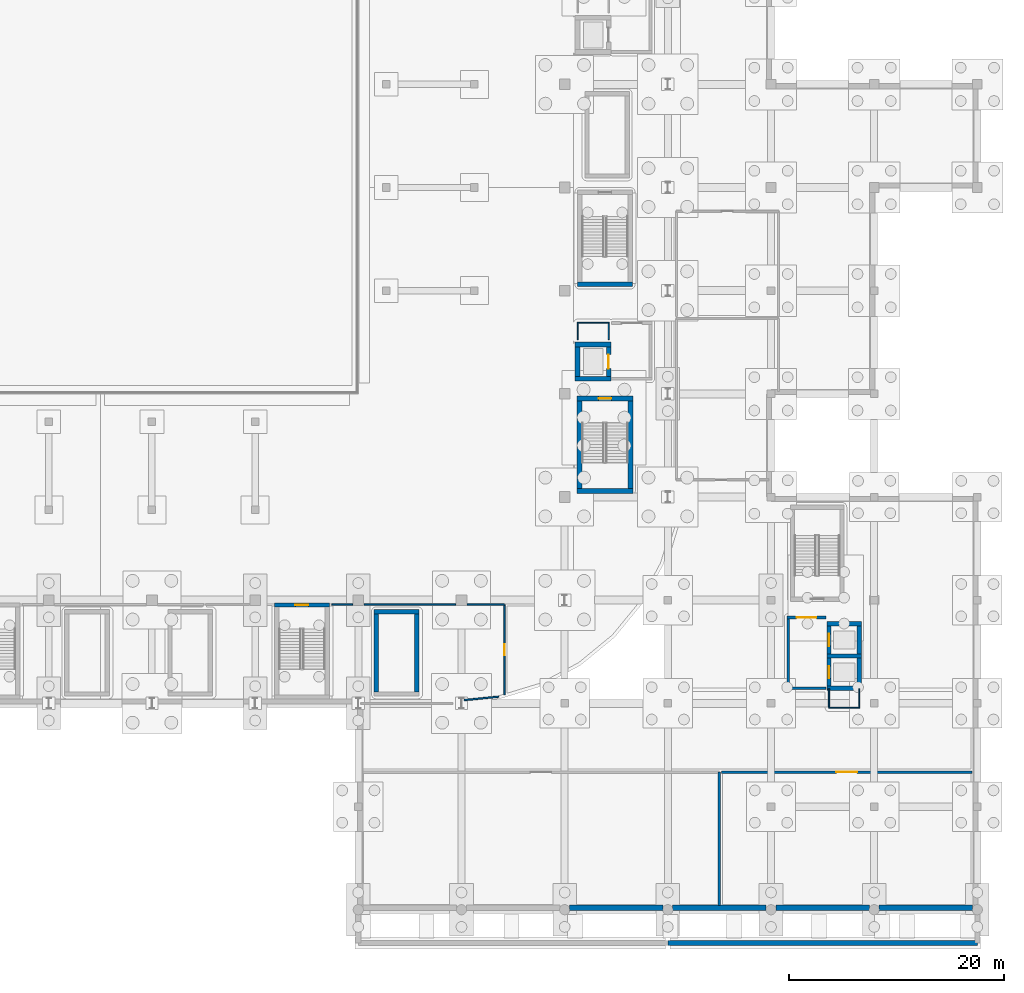
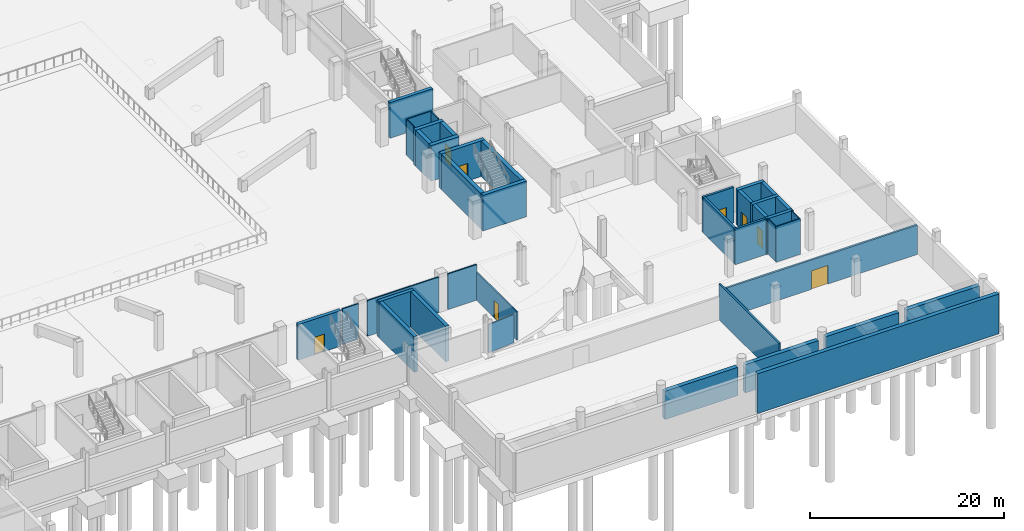
# One storey, part 32 of 67: 41 walls, 8 doors, 8 openings.
"""IFC4 building model written with IfcOpenShell, lengths in metres."""

import ifcopenshell
import ifcopenshell.guid

model = None  # the IFC model being written
_history = None  # IfcOwnerHistory: only IFC2X3 demands one
_inside = {}  # id of a spatial element -> (the spatial element, [elements in it])
_under = {}  # id of a project, library or spatial element -> (it, [spatial elements below it])
_declared = {}  # id of a project -> (the project, [libraries it declares])
_typed = {}  # id of a type object -> (the type object, [elements of that type])
_made_of = {}  # id of a material, layer set ... -> (it, [elements and type objects made of it])


def new_model(schema):
    """Start an empty IFC model of exactly this schema.

    Asked for "IFC4X3", IfcOpenShell would pick the latest addendum, in which some entities
    have other attributes; the version numbers below select the first issue.
    IFC2X3 requires an IfcOwnerHistory on every rooted entity: one is made here for all.
    """
    global model, _history
    if schema == "IFC4X3":
        model = ifcopenshell.file(schema_version=(4, 3, 0, 0))
    else:
        model = ifcopenshell.file(schema=schema)
    _inside.clear()
    _under.clear()
    _declared.clear()
    _typed.clear()
    _made_of.clear()
    _history = None
    if model.schema == "IFC2X3":
        org = make("IfcOrganization", Name="unknown")
        user = make(
            "IfcPersonAndOrganization",
            ThePerson=make("IfcPerson", FamilyName="unknown"),
            TheOrganization=org,
        )
        app = make(
            "IfcApplication",
            ApplicationDeveloper=org,
            Version="unknown",
            ApplicationFullName="unknown",
            ApplicationIdentifier="unknown",
        )
        _history = make(
            "IfcOwnerHistory",
            OwningUser=user,
            OwningApplication=app,
            ChangeAction="ADDED",
            CreationDate=0,
        )
    return model


def make(cls, **values):
    """One entity of the class cls with the attributes given. An attribute that is None is left unset."""
    return model.create_entity(
        cls, **{name: value for name, value in values.items() if value is not None}
    )


def rooted(cls, **values):
    """An entity with a GlobalId (a new one), such as an element, a storey or a relation."""
    return make(cls, GlobalId=ifcopenshell.guid.new(), OwnerHistory=_history, **values)


def si_unit(unit_type, name, prefix=None):
    """IfcSIUnit, for example si_unit("LENGTHUNIT", "METRE", prefix="MILLI")."""
    return make("IfcSIUnit", UnitType=unit_type, Prefix=prefix, Name=name)


def assignment(units):
    """IfcUnitAssignment: the units of a project."""
    return None if units is None else make("IfcUnitAssignment", Units=units)


def point(xyz):
    """IfcCartesianPoint."""
    return None if xyz is None else make("IfcCartesianPoint", Coordinates=xyz)


def direction(xyz):
    """IfcDirection."""
    return None if xyz is None else make("IfcDirection", DirectionRatios=xyz)


def frame(location, z_axis=None, x_axis=None):
    """IfcAxis2Placement3D, a coordinate frame: its origin and axes. An axis left out is left unset."""
    return make(
        "IfcAxis2Placement3D",
        Location=point(location),
        Axis=direction(z_axis),
        RefDirection=direction(x_axis),
    )


def frame_2d(location, x_axis=None):
    """IfcAxis2Placement2D, a coordinate frame in the plane: its origin and x axis."""
    return make(
        "IfcAxis2Placement2D", Location=point(location), RefDirection=direction(x_axis)
    )


def origin():
    """The frame at (0, 0, 0) with its axes left unset."""
    return frame((0.0, 0.0, 0.0))


def place(relative_to, where):
    """IfcLocalPlacement: puts the frame where relative to a parent placement (None: the world)."""
    return make(
        "IfcLocalPlacement", PlacementRelTo=relative_to, RelativePlacement=where
    )


def context(
    kind, dimensions, precision=None, world=None, true_north=None, identifier=None
):
    """IfcGeometricRepresentationContext, for example the 3D "Model" context."""
    return make(
        "IfcGeometricRepresentationContext",
        ContextIdentifier=identifier,
        ContextType=kind,
        CoordinateSpaceDimension=dimensions,
        Precision=precision,
        WorldCoordinateSystem=world,
        TrueNorth=true_north,
    )


def subcontext(parent, identifier, kind, view, scale=None):
    """IfcGeometricRepresentationSubContext, for example "Body" below "Model"."""
    return make(
        "IfcGeometricRepresentationSubContext",
        ContextIdentifier=identifier,
        ContextType=kind,
        ParentContext=parent,
        TargetScale=scale,
        TargetView=view,
    )


def project(units=None, contexts=None):
    """IfcProject with its units and contexts."""
    return rooted(
        "IfcProject",
        Name="project",
        RepresentationContexts=contexts,
        UnitsInContext=assignment(units),
    )


def spatial(cls, under=None, at=None, **own):
    """A site, building, storey or space (cls), placed at a placement, below another one or the project."""
    s = rooted(cls, ObjectPlacement=at, **own)
    if under is not None:
        _under.setdefault(under.id(), (under, []))[1].append(s)
    return s


def profile(cls, at=None, kind="AREA", **sizes):
    """A parametric profile (cls). Its sizes go by their IFC names, for example OverallWidth=200.0."""
    return make(cls, ProfileType=kind, Position=at, **sizes)


def rectangle(**sizes):
    """IfcRectangleProfileDef."""
    return profile("IfcRectangleProfileDef", **sizes)


def extrude(swept, where, along, depth):
    """IfcExtrudedAreaSolid: the profile swept, set in the frame where, extruded along a direction by depth."""
    return make(
        "IfcExtrudedAreaSolid",
        SweptArea=swept,
        Position=where,
        ExtrudedDirection=direction(along),
        Depth=depth,
    )


def shape(context_of_items, identifier, shape_type, items):
    """IfcShapeRepresentation: the items that make up one representation, for example the "Body"."""
    return make(
        "IfcShapeRepresentation",
        ContextOfItems=context_of_items,
        RepresentationIdentifier=identifier,
        RepresentationType=shape_type,
        Items=items,
    )


def material(Name=None, Category=None):
    """IfcMaterial."""
    return make("IfcMaterial", Name=Name, Category=Category)


def layer(
    of_material, thickness, ventilated=None, Name=None, Category=None, Priority=None
):
    """IfcMaterialLayer: one layer of a wall or slab, of a material (None: an air gap)."""
    return make(
        "IfcMaterialLayer",
        Material=of_material,
        LayerThickness=thickness,
        IsVentilated=ventilated,
        Name=Name,
        Category=Category,
        Priority=Priority,
    )


def layer_set(layers, Name=None):
    """IfcMaterialLayerSet."""
    return make("IfcMaterialLayerSet", MaterialLayers=layers, LayerSetName=Name)


def made_of(thing, what):
    """Note that an element or type object is made of a material, layer set ...; save() writes the relation."""
    if what is not None:
        _made_of.setdefault(what.id(), (what, []))[1].append(thing)
    return thing


def type_object(cls, material=None, **own):
    """A type object (cls), such as IfcWallType, which elements share."""
    return made_of(rooted(cls, **own), material)


def element(
    cls,
    number,
    at=None,
    inside=None,
    cuts=None,
    type_object=None,
    material=None,
    context=None,
    identifier="Body",
    shape_type=None,
    held_by="IfcProductDefinitionShape",
    body=None,
    shapes=None,
    **own,
):
    """One element of the class cls, such as IfcWall. Its Tag is "e" and its number.

    at: its placement. inside: the storey or other place that contains it. cuts: it is an
    opening in that element (IfcRelVoidsElement). A single representation is given by context,
    identifier, shape_type and body (its items); several are given by shapes. held_by: the class
    of the entity that holds the representations. save() writes the other relations.
    """
    e = rooted(cls, Tag="e%d" % number, ObjectPlacement=at, **own)
    if body is not None:
        shapes = [shape(context, identifier, shape_type, body)]
    if shapes is not None:
        e.Representation = make(held_by, Representations=shapes)
    if inside is not None:
        _inside.setdefault(inside.id(), (inside, []))[1].append(e)
    if cuts is not None:
        rooted(
            "IfcRelVoidsElement", RelatingBuildingElement=cuts, RelatedOpeningElement=e
        )
    if type_object is not None:
        _typed.setdefault(type_object.id(), (type_object, []))[1].append(e)
    return made_of(e, material)


def fill(opening, filler):
    """IfcRelFillsElement: the door or window that sits in an opening."""
    return rooted(
        "IfcRelFillsElement",
        RelatingOpeningElement=opening,
        RelatedBuildingElement=filler,
    )


def aggregate(whole, parts):
    """IfcRelAggregates: a whole, such as a stair, and the parts it consists of."""
    return rooted("IfcRelAggregates", RelatingObject=whole, RelatedObjects=parts)


def save(model, path):
    """Write the relations noted so far, then the file.

    IfcRelAggregates (storeys below a building ...), IfcRelContainedInSpatialStructure (elements
    in a storey), IfcRelDefinesByType, IfcRelAssociatesMaterial and IfcRelDeclares: one each for
    every whole, place, type object, material and project.
    """
    for whole, parts in _under.values():
        aggregate(whole, parts)
    for where, things in _inside.values():
        rooted(
            "IfcRelContainedInSpatialStructure",
            RelatedElements=things,
            RelatingStructure=where,
        )
    for kind, things in _typed.values():
        rooted("IfcRelDefinesByType", RelatedObjects=things, RelatingType=kind)
    for what, things in _made_of.values():
        rooted("IfcRelAssociatesMaterial", RelatedObjects=things, RelatingMaterial=what)
    for by, libraries in _declared.values():
        rooted("IfcRelDeclares", RelatingContext=by, RelatedDefinitions=libraries)
    model.write(path)


model = new_model("IFC4")

# Units and contexts
model_context = context("Model", 3, precision=1e-05, world=origin(), true_north=direction((0.0, 1.0)))
body_context = subcontext(model_context, "Body", "Model", "MODEL_VIEW")
ifc_project = project(units=[si_unit("LENGTHUNIT", "METRE"), si_unit("AREAUNIT", "SQUARE_METRE"), si_unit("VOLUMEUNIT", "CUBIC_METRE"), si_unit("PLANEANGLEUNIT", "RADIAN"), si_unit("MASSUNIT", "GRAM", prefix="KILO")], contexts=[model_context])

# Site, building, storey
site_placement = place(None, origin())
site = spatial("IfcSite", under=ifc_project, at=site_placement, CompositionType="ELEMENT")
building_placement = place(site_placement, origin())
building = spatial("IfcBuilding", under=site, at=building_placement, Name="Caelomonte Colonnade Arena", CompositionType="ELEMENT")
storey_placement = place(building_placement, frame((0.0, 0.0, -4.800048828125)))
storey = spatial("IfcBuildingStorey", under=building, at=storey_placement, Name="B1", CompositionType="ELEMENT", Elevation=-4.800048828125)

# Walls
ifc_material_1 = material(Name="Concrete C40/50", Category="concrete")
ifc_layer_1 = layer(ifc_material_1, 0.47998046875)
ifc_layer_set_1 = layer_set([ifc_layer_1], Name="Concrete C40/50")
wall_type_1 = type_object("IfcWallType", Name="ENV-WL-RET48", PredefinedType="USERDEFINED", material=ifc_layer_set_1)
wall_1_placement = place(storey_placement, frame((163.199951171875, -3.10009765625, -0.449951171875), z_axis=(0.0, 0.0, 1.0), x_axis=(1.0, 0.0, 0.0)))
element("IfcWall", 1, at=wall_1_placement, inside=storey, type_object=wall_type_1, Name="Portico forecourt stepped retaining plinth wall RW-V3-PLINTH-S2", ObjectType="RETAINING WALL", PredefinedType="USERDEFINED", context=body_context, shape_type="SweptSolid", body=[
    extrude(rectangle(XDim=28.800048828125, YDim=0.47998046875, at=frame_2d((14.39990234375, 0.0))), origin(), (0.0, 0.0, 1.0), 5.030029296875),
])
wall_2_placement = place(storey_placement, frame((154.054931640625, 0.179931640625, 0.0), z_axis=(0.0, 0.0, 1.0), x_axis=(1.0, 0.0, 0.0)))
element("IfcWall", 2, at=wall_2_placement, inside=storey, type_object=wall_type_1, Name="B1 exterior retaining plinth wall EW-B1-0021", ObjectType="RETAINING WALL", PredefinedType="USERDEFINED", context=body_context, shape_type="SweptSolid", body=[
    extrude(rectangle(XDim=8.690185546875, YDim=0.47998046875, at=frame_2d((4.34521484375, 0.0))), origin(), (0.0, 0.0, 1.0), 3.572998046875),
])
wall_3_placement = place(storey_placement, frame((163.655029296875, 0.179931640625, 0.0), z_axis=(0.0, 0.0, 1.0), x_axis=(1.0, 0.0, 0.0)))
element("IfcWall", 3, at=wall_3_placement, inside=storey, type_object=wall_type_1, Name="B1 exterior retaining plinth wall EW-B1-0022", ObjectType="RETAINING WALL", PredefinedType="USERDEFINED", context=body_context, shape_type="SweptSolid", body=[
    extrude(rectangle(XDim=8.68994140625, YDim=0.47998046875, at=frame_2d((4.344970703125, 0.0))), origin(), (0.0, 0.0, 1.0), 3.572998046875),
])
wall_4_placement = place(storey_placement, frame((173.2548828125, 0.179931640625, 0.0), z_axis=(0.0, 0.0, 1.0), x_axis=(1.0, 0.0, 0.0)))
element("IfcWall", 4, at=wall_4_placement, inside=storey, type_object=wall_type_1, Name="B1 exterior retaining plinth wall EW-B1-0023", ObjectType="RETAINING WALL", PredefinedType="USERDEFINED", context=body_context, shape_type="SweptSolid", body=[
    extrude(rectangle(XDim=8.690185546875, YDim=0.47998046875, at=frame_2d((4.34521484375, 0.0))), origin(), (0.0, 0.0, 1.0), 3.75),
])
wall_5_placement = place(storey_placement, frame((182.85498046875, 0.179931640625, 0.0), z_axis=(0.0, 0.0, 1.0), x_axis=(1.0, 0.0, 0.0)))
element("IfcWall", 5, at=wall_5_placement, inside=storey, type_object=wall_type_1, Name="B1 exterior retaining plinth wall EW-B1-0024", ObjectType="RETAINING WALL", PredefinedType="USERDEFINED", context=body_context, shape_type="SweptSolid", body=[
    extrude(rectangle(XDim=8.68994140625, YDim=0.47998046875, at=frame_2d((4.344970703125, 0.0))), origin(), (0.0, 0.0, 1.0), 3.75),
])
ifc_layer_2 = layer(ifc_material_1, 0.260009765625)
ifc_layer_set_2 = layer_set([ifc_layer_2], Name="Concrete C40/50")
wall_type_2 = type_object("IfcWallType", Name="INT-WL-FW26", PredefinedType="SOLIDWALL", material=ifc_layer_set_2)
wall_6_placement = place(storey_placement, frame((174.27001953125, 20.60009765625, 0.0), z_axis=(0.0, 0.0, 1.0), x_axis=(1.0, 0.0, 0.0)))
element("IfcWall", 6, at=wall_6_placement, inside=storey, type_object=wall_type_2, Name="FW-C5-LB B1 south enclosure wall", PredefinedType="SOLIDWALL", context=body_context, shape_type="SweptSolid", body=[
    extrude(rectangle(XDim=3.659912109375, YDim=0.260009765625, at=frame_2d((1.830078125, 0.0))), origin(), (0.0, 0.0, 1.0), 4.5),
])

# Wall, opening, door
wall_7_placement = place(storey_placement, frame((177.929931640625, 27.199951171875, 0.0), z_axis=(0.0, 0.0, 1.0), x_axis=(-1.0, 0.0, 0.0)))
wall_7 = element("IfcWall", 7, at=wall_7_placement, inside=storey, type_object=wall_type_2, Name="FW-C5-LB B1 north enclosure wall", PredefinedType="SOLIDWALL", context=body_context, shape_type="SweptSolid", body=[
    extrude(rectangle(XDim=3.659912109375, YDim=0.260009765625, at=frame_2d((1.830078125, 0.0))), origin(), (0.0, 0.0, 1.0), 4.5),
])
opening_1_placement = place(wall_7_placement, frame((2.755126953125, 0.0, 0.0), z_axis=(0.0, 0.0, 1.0), x_axis=(-1.0, 0.0, 0.0)))
opening_1 = element("IfcOpeningElement", 8, at=opening_1_placement, cuts=wall_7, Name="Opening FD-2", PredefinedType="OPENING", context=body_context, shape_type="SweptSolid", body=[
    extrude(rectangle(XDim=1.85009765625, YDim=2.25, at=frame_2d((0.925048828125, 1.125))), frame((0.0, 0.139892578125, 0.0), z_axis=(0.0, -1.0, 0.0), x_axis=(1.0, 0.0, 0.0)), (0.0, 0.0, 1.0), 0.280029296875),
])
ifc_material_2 = material(Name="Fire-rated double steel door", Category="steel")
door_type_1 = type_object("IfcDoorType", Name="INT-DR-FD90B", OperationType="DOUBLE_DOOR_SINGLE_SWING", PredefinedType="DOOR", material=ifc_material_2)
door_1_placement = place(opening_1_placement, origin())
door_1 = element("IfcDoor", 9, at=door_1_placement, inside=storey, type_object=door_type_1, Name="Core C5 B1 lobby fire door", OperationType="DOUBLE_DOOR_SINGLE_SWING", OverallHeight=2.25, OverallWidth=1.85009765625, PredefinedType="DOOR", context=body_context, shape_type="SweptSolid", body=[
    extrude(rectangle(XDim=1.85009765625, YDim=2.25, at=frame_2d((0.925048828125, 1.125))), frame((0.0, 0.02490234375, 0.0), z_axis=(0.0, -1.0, 0.0), x_axis=(1.0, 0.0, 0.0)), (0.0, 0.0, 1.0), 0.050048828125),
])
fill(opening_1, door_1)

# Walls
wall_8_placement = place(storey_placement, frame((174.39990234375, 27.070068359375, 0.0), z_axis=(0.0, 0.0, 1.0), x_axis=(0.0, -1.0, 0.0)))
element("IfcWall", 10, at=wall_8_placement, inside=storey, type_object=wall_type_2, Name="FW-C5-LB B1 west enclosure wall", PredefinedType="SOLIDWALL", context=body_context, shape_type="SweptSolid", body=[
    extrude(rectangle(XDim=6.340087890625, YDim=0.260009765625, at=frame_2d((3.169921875, 0.0))), origin(), (0.0, 0.0, 1.0), 4.5),
])
ifc_material_3 = material(Name="Service shaft lining partition")
ifc_layer_3 = layer(ifc_material_3, 0.10009765625)
ifc_layer_set_3 = layer_set([ifc_layer_3], Name="Service shaft lining partition")
wall_type_3 = type_object("IfcWallType", Name="INT-WL-PT10", PredefinedType="PARTITIONING", material=ifc_layer_set_3)
wall_9_placement = place(storey_placement, frame((157.75, 54.60009765625, 0.0), z_axis=(0.0, 0.0, 1.0), x_axis=(-1.0, 0.0, 0.0)))
element("IfcWall", 11, at=wall_9_placement, inside=storey, type_object=wall_type_3, Name="FW-C2-RS B1 north enclosure wall", PredefinedType="PARTITIONING", context=body_context, shape_type="SweptSolid", body=[
    extrude(rectangle(XDim=3.0, YDim=0.10009765625, at=frame_2d((1.5, 0.0))), origin(), (0.0, 0.0, 1.0), 4.5),
])
for number, where, z_axis, x_axis, name in (
    (12, (154.800048828125, 54.550048828125, 0.0), (0.0, 0.0, 1.0), (0.0, -1.0, 0.0), "FW-C2-RS B1 west enclosure wall"),
    (13, (157.699951171875, 53.050048828125, 0.0), (0.0, 0.0, 1.0), (0.0, 1.0, 0.0), "FW-C2-RS B1 east enclosure wall"),
):
    element("IfcWall", number, at=place(storey_placement, frame(where, z_axis=z_axis, x_axis=x_axis)), inside=storey, type_object=wall_type_3, Name=name, PredefinedType="PARTITIONING", context=body_context, shape_type="SweptSolid", body=[
        extrude(rectangle(XDim=1.5, YDim=0.10009765625, at=frame_2d((0.75, 0.0))), origin(), (0.0, 0.0, 1.0), 4.5),
    ])
wall_10_placement = place(storey_placement, frame((178.14990234375, 18.800048828125, 0.0), z_axis=(0.0, 0.0, 1.0), x_axis=(1.0, 0.0, 0.0)))
element("IfcWall", 14, at=wall_10_placement, inside=storey, type_object=wall_type_3, Name="FW-C5-RS B1 south enclosure wall", PredefinedType="PARTITIONING", context=body_context, shape_type="SweptSolid", body=[
    extrude(rectangle(XDim=2.900146484375, YDim=0.10009765625, at=frame_2d((1.4501953125, 0.0))), origin(), (0.0, 0.0, 1.0), 4.5),
])
for number, where, z_axis, x_axis, name in (
    (15, (178.199951171875, 20.550048828125, 0.0), (0.0, 0.0, 1.0), (0.0, -1.0, 0.0), "FW-C5-RS B1 west enclosure wall"),
    (16, (181.0, 18.85009765625, 0.0), (0.0, 0.0, 1.0), (0.0, 1.0, 0.0), "FW-C5-RS B1 east enclosure wall"),
):
    element("IfcWall", number, at=place(storey_placement, frame(where, z_axis=z_axis, x_axis=x_axis)), inside=storey, type_object=wall_type_3, Name=name, PredefinedType="PARTITIONING", context=body_context, shape_type="SweptSolid", body=[
        extrude(rectangle(XDim=1.699951171875, YDim=0.10009765625, at=frame_2d((0.85009765625, 0.0))), origin(), (0.0, 0.0, 1.0), 4.5),
    ])
ifc_material_4 = material(Name="Suite demising stud partition")
ifc_layer_4 = layer(ifc_material_4, 0.139892578125)
ifc_layer_set_4 = layer_set([ifc_layer_4], Name="Suite demising stud partition")
wall_type_4 = type_object("IfcWallType", Name="INT-WL-PT14", PredefinedType="PARTITIONING", material=ifc_layer_set_4)
wall_11_placement = place(storey_placement, frame((131.948486328125, 28.3798828125, 0.0), z_axis=(0.0, 0.0, 1.0), x_axis=(1.0, 0.0, 0.0)))
element("IfcWall", 17, at=wall_11_placement, inside=storey, type_object=wall_type_4, Name="B1 Officials Locker Suite partition 7", PredefinedType="PARTITIONING", context=body_context, shape_type="SweptSolid", body=[
    extrude(rectangle(XDim=1.91650390625, YDim=0.139892578125, at=frame_2d((0.958251953125, 0.0))), origin(), (0.0, 0.0, 1.0), 4.5),
])
wall_12_placement = place(storey_placement, frame((134.93505859375, 28.3798828125, 0.0), z_axis=(0.0, 0.0, 1.0), x_axis=(1.0, 0.0, 0.0)))
element("IfcWall", 18, at=wall_12_placement, inside=storey, type_object=wall_type_4, Name="B1 Officials Locker Suite partition 8", PredefinedType="PARTITIONING", context=body_context, shape_type="SweptSolid", body=[
    extrude(rectangle(XDim=8.530029296875, YDim=0.139892578125, at=frame_2d((4.26513671875, 0.0))), origin(), (0.0, 0.0, 1.0), 4.5),
])
wall_13_placement = place(storey_placement, frame((144.534912109375, 28.3798828125, 0.0), z_axis=(0.0, 0.0, 1.0), x_axis=(1.0, 0.0, 0.0)))
element("IfcWall", 19, at=wall_13_placement, inside=storey, type_object=wall_type_4, Name="B1 Officials Locker Suite partition 9", PredefinedType="PARTITIONING", context=body_context, shape_type="SweptSolid", body=[
    extrude(rectangle(XDim=3.465087890625, YDim=0.139892578125, at=frame_2d((1.732421875, 0.0))), origin(), (0.0, 0.0, 1.0), 4.5),
])

# Wall, opening, door
wall_14_placement = place(storey_placement, frame((148.0, 28.3798828125, 0.0), z_axis=(0.0, 0.0, 1.0), x_axis=(0.0, -1.0, 0.0)))
wall_14 = element("IfcWall", 20, at=wall_14_placement, inside=storey, type_object=wall_type_4, Name="B1 Officials Locker Suite partition 10", PredefinedType="PARTITIONING", context=body_context, shape_type="SweptSolid", body=[
    extrude(rectangle(XDim=8.393798828125, YDim=0.139892578125, at=frame_2d((4.19677734375, 0.0))), origin(), (0.0, 0.0, 1.0), 3.572998046875),
])
opening_2_placement = place(wall_14_placement, frame((3.697021484375, 0.0, 0.0), z_axis=(0.0, 0.0, 1.0), x_axis=(1.0, 0.0, 0.0)))
opening_2 = element("IfcOpeningElement", 21, at=opening_2_placement, cuts=wall_14, Name="Opening D-B1-002", PredefinedType="OPENING", context=body_context, shape_type="SweptSolid", body=[
    extrude(rectangle(XDim=1.0, YDim=2.199951171875, at=frame_2d((0.5, 1.10009765625))), frame((0.0, 0.079833984375, 0.0), z_axis=(0.0, -1.0, 0.0), x_axis=(1.0, 0.0, 0.0)), (0.0, 0.0, 1.0), 0.159912109375),
])
ifc_material_5 = material(Name="Hardwood veneer acoustic suite door", Category="wood")
door_type_2 = type_object("IfcDoorType", Name="INT-DR-SU1", OperationType="NOTDEFINED", PredefinedType="DOOR", material=ifc_material_5)
door_2_placement = place(opening_2_placement, origin())
door_2 = element("IfcDoor", 22, at=door_2_placement, inside=storey, type_object=door_type_2, Name="B1 Officials Locker Suite door D-B1-002", OperationType="SINGLE_SWING_LEFT", OverallHeight=2.199951171875, OverallWidth=1.0, PredefinedType="DOOR", context=body_context, shape_type="SweptSolid", body=[
    extrude(rectangle(XDim=1.0, YDim=2.199951171875, at=frame_2d((0.5, 1.10009765625))), frame((0.0, 0.02490234375, 0.0), z_axis=(0.0, -1.0, 0.0), x_axis=(1.0, 0.0, 0.0)), (0.0, 0.0, 1.0), 0.050048828125),
])
fill(opening_2, door_2)

# Walls
wall_15_placement = place(storey_placement, frame((147.453857421875, 19.8203125, 0.0), z_axis=(0.0, 0.0, 1.0), x_axis=(-0.99518541898, -0.098010110956, 0.0)))
element("IfcWall", 23, at=wall_15_placement, inside=storey, type_object=wall_type_4, Name="B1 Officials Locker Suite partition 11", PredefinedType="PARTITIONING", context=body_context, shape_type="SweptSolid", body=[
    extrude(rectangle(XDim=3.220947265625, YDim=0.139892578125, at=frame_2d((1.6103515625, 0.0))), origin(), (0.0, 0.0, 1.0), 3.572998046875),
])
ifc_material_6 = material(Name="Acoustic masonry blockwork", Category="masonry")
ifc_layer_5 = layer(ifc_material_6, 0.219970703125)
ifc_layer_set_5 = layer_set([ifc_layer_5], Name="Acoustic masonry blockwork")
wall_type_5 = type_object("IfcWallType", Name="INT-WL-PT22", PredefinedType="PARTITIONING", material=ifc_layer_set_5)
wall_16_placement = place(storey_placement, frame((168.0, 12.800048828125, 0.0), z_axis=(0.0, 0.0, 1.0), x_axis=(0.0, -1.0, 0.0)))
element("IfcWall", 24, at=wall_16_placement, inside=storey, type_object=wall_type_5, Name="B1 Firewater and Rainwater Cistern Hall partition 37", PredefinedType="PARTITIONING", context=body_context, shape_type="SweptSolid", body=[
    extrude(rectangle(XDim=12.400146484375, YDim=0.219970703125, at=frame_2d((6.2001953125, 0.0))), origin(), (0.0, 0.0, 1.0), 4.5),
])

# Wall, opening, door
wall_17_placement = place(storey_placement, frame((168.199951171875, 12.800048828125, 0.0), z_axis=(0.0, 0.0, 1.0), x_axis=(1.0, 0.0, 0.0)))
wall_17 = element("IfcWall", 25, at=wall_17_placement, inside=storey, type_object=wall_type_5, Name="B1 Fire Pump and Booster Room partition 38", PredefinedType="PARTITIONING", context=body_context, shape_type="SweptSolid", body=[
    extrude(rectangle(XDim=23.300048828125, YDim=0.219970703125, at=frame_2d((11.64990234375, 0.0))), origin(), (0.0, 0.0, 1.0), 3.699951171875),
])
opening_3_placement = place(wall_17_placement, frame((10.675048828125, 0.0, 0.0), z_axis=(0.0, 0.0, 1.0), x_axis=(1.0, 0.0, 0.0)))
opening_3 = element("IfcOpeningElement", 26, at=opening_3_placement, cuts=wall_17, Name="Opening D-B1-010", PredefinedType="OPENING", context=body_context, shape_type="SweptSolid", body=[
    extrude(rectangle(XDim=1.949951171875, YDim=2.35009765625, at=frame_2d((0.97509765625, 1.175048828125))), frame((0.0, 0.119873046875, 0.0), z_axis=(0.0, -1.0, 0.0), x_axis=(1.0, 0.0, 0.0)), (0.0, 0.0, 1.0), 0.239990234375),
])
ifc_material_7 = material(Name="Double hollow-metal plant room door")
door_type_3 = type_object("IfcDoorType", Name="INT-DR-PLT", OperationType="DOUBLE_DOOR_SINGLE_SWING", PredefinedType="DOOR", material=ifc_material_7)
door_3_placement = place(opening_3_placement, origin())
door_3 = element("IfcDoor", 27, at=door_3_placement, inside=storey, type_object=door_type_3, Name="B1 Fire Pump and Booster Room door D-B1-010", OperationType="DOUBLE_DOOR_SINGLE_SWING", OverallHeight=2.35009765625, OverallWidth=1.949951171875, PredefinedType="DOOR", context=body_context, shape_type="SweptSolid", body=[
    extrude(rectangle(XDim=1.949951171875, YDim=2.35009765625, at=frame_2d((0.97509765625, 1.175048828125))), frame((0.0, 0.02490234375, 0.0), z_axis=(0.0, -1.0, 0.0), x_axis=(1.0, 0.0, 0.0)), (0.0, 0.0, 1.0), 0.050048828125),
])
fill(opening_3, door_3)

# Walls
ifc_material_8 = material(Name="Concrete C50/60", Category="concrete")
ifc_layer_6 = layer(ifc_material_8, 0.39990234375)
ifc_layer_set_6 = layer_set([ifc_layer_6], Name="Concrete C50/60")
wall_type_6 = type_object("IfcWallType", Name="INT-WL-SH40", PredefinedType="SHEAR", material=ifc_layer_set_6)
for number, where, z_axis, x_axis, name in (
    (28, (178.0, 20.60009765625, 0.0), (0.0, 0.0, 1.0), (1.0, 0.0, 0.0), "CW-C5-LF B1 south enclosure wall"),
    (29, (181.199951171875, 23.60009765625, 0.0), (0.0, 0.0, 1.0), (-1.0, 0.0, 0.0), "CW-C5-LF B1 north enclosure wall"),
):
    element("IfcWall", number, at=place(storey_placement, frame(where, z_axis=z_axis, x_axis=x_axis)), inside=storey, type_object=wall_type_6, Name=name, PredefinedType="SHEAR", context=body_context, shape_type="SweptSolid", body=[
        extrude(rectangle(XDim=3.199951171875, YDim=0.39990234375, at=frame_2d((1.60009765625, 0.0))), origin(), (0.0, 0.0, 1.0), 4.5),
    ])

# Wall, opening, door
wall_18_placement = place(storey_placement, frame((178.199951171875, 23.39990234375, 0.0), z_axis=(0.0, 0.0, 1.0), x_axis=(0.0, -1.0, 0.0)))
wall_18 = element("IfcWall", 30, at=wall_18_placement, inside=storey, type_object=wall_type_6, Name="CW-C5-LF B1 west enclosure wall", PredefinedType="SHEAR", context=body_context, shape_type="SweptSolid", body=[
    extrude(rectangle(XDim=2.599853515625, YDim=0.39990234375, at=frame_2d((1.2998046875, 0.0))), origin(), (0.0, 0.0, 1.0), 4.5),
])
opening_4_placement = place(wall_18_placement, frame((0.72509765625, 0.0, 0.0), z_axis=(0.0, 0.0, 1.0), x_axis=(1.0, 0.0, 0.0)))
opening_4 = element("IfcOpeningElement", 31, at=opening_4_placement, cuts=wall_18, Name="Opening LD-LF-01-B1", PredefinedType="OPENING", context=body_context, shape_type="SweptSolid", body=[
    extrude(rectangle(XDim=1.14990234375, YDim=2.199951171875, at=frame_2d((0.574951171875, 1.10009765625))), frame((0.0, 0.2099609375, 0.0), z_axis=(0.0, -1.0, 0.0), x_axis=(1.0, 0.0, 0.0)), (0.0, 0.0, 1.0), 0.419921875),
])
ifc_material_9 = material(Name="Stainless steel lift landing door", Category="steel")
door_type_4 = type_object("IfcDoorType", Name="INT-DR-LD1", OperationType="SLIDING_TO_LEFT", PredefinedType="DOOR", material=ifc_material_9)
door_4_placement = place(opening_4_placement, origin())
door_4 = element("IfcDoor", 32, at=door_4_placement, inside=storey, type_object=door_type_4, Name="Lift LF-01 B1 sliding landing door", OperationType="SLIDING_TO_LEFT", OverallHeight=2.199951171875, OverallWidth=1.14990234375, PredefinedType="DOOR", context=body_context, shape_type="SweptSolid", body=[
    extrude(rectangle(XDim=1.14990234375, YDim=2.199951171875, at=frame_2d((0.574951171875, 1.10009765625))), frame((0.0, 0.02490234375, 0.0), z_axis=(0.0, -1.0, 0.0), x_axis=(1.0, 0.0, 0.0)), (0.0, 0.0, 1.0), 0.050048828125),
])
fill(opening_4, door_4)

# Walls
wall_19_placement = place(storey_placement, frame((181.0, 20.800048828125, 0.0), z_axis=(0.0, 0.0, 1.0), x_axis=(0.0, 1.0, 0.0)))
element("IfcWall", 33, at=wall_19_placement, inside=storey, type_object=wall_type_6, Name="CW-C5-LF B1 east enclosure wall", PredefinedType="SHEAR", context=body_context, shape_type="SweptSolid", body=[
    extrude(rectangle(XDim=2.599853515625, YDim=0.39990234375, at=frame_2d((1.2998046875, 0.0))), origin(), (0.0, 0.0, 1.0), 4.5),
])
wall_20_placement = place(storey_placement, frame((181.199951171875, 26.60009765625, 0.0), z_axis=(0.0, 0.0, 1.0), x_axis=(-1.0, 0.0, 0.0)))
element("IfcWall", 34, at=wall_20_placement, inside=storey, type_object=wall_type_6, Name="CW-C5-LF2 B1 north enclosure wall", PredefinedType="SHEAR", context=body_context, shape_type="SweptSolid", body=[
    extrude(rectangle(XDim=3.199951171875, YDim=0.39990234375, at=frame_2d((1.60009765625, 0.0))), origin(), (0.0, 0.0, 1.0), 4.5),
])

# Wall, opening, door
wall_21_placement = place(storey_placement, frame((178.199951171875, 26.39990234375, 0.0), z_axis=(0.0, 0.0, 1.0), x_axis=(0.0, -1.0, 0.0)))
wall_21 = element("IfcWall", 35, at=wall_21_placement, inside=storey, type_object=wall_type_6, Name="CW-C5-LF2 B1 west enclosure wall", PredefinedType="SHEAR", context=body_context, shape_type="SweptSolid", body=[
    extrude(rectangle(XDim=2.599853515625, YDim=0.39990234375, at=frame_2d((1.2998046875, 0.0))), origin(), (0.0, 0.0, 1.0), 4.5),
])
opening_5_placement = place(wall_21_placement, frame((0.72509765625, 0.0, 0.0), z_axis=(0.0, 0.0, 1.0), x_axis=(1.0, 0.0, 0.0)))
opening_5 = element("IfcOpeningElement", 36, at=opening_5_placement, cuts=wall_21, Name="Opening LD-LF-02-B1", PredefinedType="OPENING", context=body_context, shape_type="SweptSolid", body=[
    extrude(rectangle(XDim=1.14990234375, YDim=2.199951171875, at=frame_2d((0.574951171875, 1.10009765625))), frame((0.0, 0.2099609375, 0.0), z_axis=(0.0, -1.0, 0.0), x_axis=(1.0, 0.0, 0.0)), (0.0, 0.0, 1.0), 0.419921875),
])
door_5_placement = place(opening_5_placement, origin())
door_5 = element("IfcDoor", 37, at=door_5_placement, inside=storey, type_object=door_type_4, Name="Lift LF-02 B1 sliding landing door", OperationType="SLIDING_TO_LEFT", OverallHeight=2.199951171875, OverallWidth=1.14990234375, PredefinedType="DOOR", context=body_context, shape_type="SweptSolid", body=[
    extrude(rectangle(XDim=1.14990234375, YDim=2.199951171875, at=frame_2d((0.574951171875, 1.10009765625))), frame((0.0, 0.02490234375, 0.0), z_axis=(0.0, -1.0, 0.0), x_axis=(1.0, 0.0, 0.0)), (0.0, 0.0, 1.0), 0.050048828125),
])
fill(opening_5, door_5)

# Walls
wall_22_placement = place(storey_placement, frame((181.0, 23.800048828125, 0.0), z_axis=(0.0, 0.0, 1.0), x_axis=(0.0, 1.0, 0.0)))
element("IfcWall", 38, at=wall_22_placement, inside=storey, type_object=wall_type_6, Name="CW-C5-LF2 B1 east enclosure wall", PredefinedType="SHEAR", context=body_context, shape_type="SweptSolid", body=[
    extrude(rectangle(XDim=2.599853515625, YDim=0.39990234375, at=frame_2d((1.2998046875, 0.0))), origin(), (0.0, 0.0, 1.0), 4.5),
])
wall_23_placement = place(storey_placement, frame((154.800048828125, 58.199951171875, 0.0), z_axis=(0.0, 0.0, 1.0), x_axis=(1.0, 0.0, 0.0)))
element("IfcWall", 39, at=wall_23_placement, inside=storey, type_object=wall_type_6, Name="CW-ST-10 B1 south enclosure wall", PredefinedType="SHEAR", context=body_context, shape_type="SweptSolid", body=[
    extrude(rectangle(XDim=5.099853515625, YDim=0.39990234375, at=frame_2d((2.5498046875, 0.0))), origin(), (0.0, 0.0, 1.0), 4.5),
])

# Wall, opening, door
wall_24_placement = place(storey_placement, frame((131.699951171875, 28.35009765625, 0.0), z_axis=(0.0, 0.0, 1.0), x_axis=(-1.0, 0.0, 0.0)))
wall_24 = element("IfcWall", 40, at=wall_24_placement, inside=storey, type_object=wall_type_6, Name="CW-ST-13 B1 north enclosure wall", PredefinedType="SHEAR", context=body_context, shape_type="SweptSolid", body=[
    extrude(rectangle(XDim=5.099853515625, YDim=0.39990234375, at=frame_2d((2.5498046875, 0.0))), origin(), (0.0, 0.0, 1.0), 4.5),
])
opening_6_placement = place(wall_24_placement, frame((3.14990234375, 0.0, 0.0), z_axis=(0.0, 0.0, 1.0), x_axis=(-1.0, 0.0, 0.0)))
opening_6 = element("IfcOpeningElement", 41, at=opening_6_placement, cuts=wall_24, Name="Opening FD-1", PredefinedType="OPENING", context=body_context, shape_type="SweptSolid", body=[
    extrude(rectangle(XDim=1.199951171875, YDim=2.199951171875, at=frame_2d((0.60009765625, 1.10009765625))), frame((0.0, 0.2099609375, 0.0), z_axis=(0.0, -1.0, 0.0), x_axis=(1.0, 0.0, 0.0)), (0.0, 0.0, 1.0), 0.419921875),
])
ifc_material_10 = material(Name="Fire-rated steel door", Category="steel")
door_type_5 = type_object("IfcDoorType", Name="INT-DR-FD90A", OperationType="NOTDEFINED", PredefinedType="DOOR", material=ifc_material_10)
door_6_placement = place(opening_6_placement, origin())
door_6 = element("IfcDoor", 42, at=door_6_placement, inside=storey, type_object=door_type_5, Name="Protected exit stair ST-13 B1 fire door", OperationType="SINGLE_SWING_RIGHT", OverallHeight=2.199951171875, OverallWidth=1.199951171875, PredefinedType="DOOR", context=body_context, shape_type="SweptSolid", body=[
    extrude(rectangle(XDim=1.199951171875, YDim=2.199951171875, at=frame_2d((0.60009765625, 1.10009765625))), frame((0.0, 0.02490234375, 0.0), z_axis=(0.0, -1.0, 0.0), x_axis=(1.0, 0.0, 0.0)), (0.0, 0.0, 1.0), 0.050048828125),
])
fill(opening_6, door_6)

# Walls
wall_25_placement = place(storey_placement, frame((140.030029296875, 27.72998046875, 0.0), z_axis=(0.0, 0.0, 1.0), x_axis=(-1.0, 0.0, 0.0)))
element("IfcWall", 43, at=wall_25_placement, inside=storey, type_object=wall_type_6, Name="CW-ST-V04 B1 north enclosure wall", PredefinedType="SHEAR", context=body_context, shape_type="SweptSolid", body=[
    extrude(rectangle(XDim=4.159912109375, YDim=0.39990234375, at=frame_2d((2.080078125, 0.0))), origin(), (0.0, 0.0, 1.0), 4.5),
])
for number, where, z_axis, x_axis, name in (
    (44, (136.070068359375, 27.530029296875, 0.0), (0.0, 0.0, 1.0), (0.0, -1.0, 0.0), "CW-ST-V04 B1 west enclosure wall"),
    (45, (139.830078125, 20.27001953125, 0.0), (0.0, 0.0, 1.0), (0.0, 1.0, 0.0), "CW-ST-V04 B1 east enclosure wall"),
):
    element("IfcWall", number, at=place(storey_placement, frame(where, z_axis=z_axis, x_axis=x_axis)), inside=storey, type_object=wall_type_6, Name=name, PredefinedType="SHEAR", context=body_context, shape_type="SweptSolid", body=[
        extrude(rectangle(XDim=7.260009765625, YDim=0.39990234375, at=frame_2d((3.6298828125, 0.0))), origin(), (0.0, 0.0, 1.0), 4.5),
    ])
ifc_layer_7 = layer(ifc_material_8, 0.449951171875)
ifc_layer_set_7 = layer_set([ifc_layer_7], Name="Concrete C50/60")
wall_type_7 = type_object("IfcWallType", Name="INT-WL-SH45", PredefinedType="SHEAR", material=ifc_layer_set_7)
wall_26_placement = place(storey_placement, frame((154.75, 38.97509765625, 0.0), z_axis=(0.0, 0.0, 1.0), x_axis=(1.0, 0.0, 0.0)))
element("IfcWall", 46, at=wall_26_placement, inside=storey, type_object=wall_type_7, Name="CW-C2-ST B1 south enclosure wall", PredefinedType="SHEAR", context=body_context, shape_type="SweptSolid", body=[
    extrude(rectangle(XDim=5.199951171875, YDim=0.449951171875, at=frame_2d((2.60009765625, 0.0))), origin(), (0.0, 0.0, 1.0), 4.5),
])

# Wall, opening, door
wall_27_placement = place(storey_placement, frame((159.949951171875, 47.574951171875, 0.0), z_axis=(0.0, 0.0, 1.0), x_axis=(-1.0, 0.0, 0.0)))
wall_27 = element("IfcWall", 47, at=wall_27_placement, inside=storey, type_object=wall_type_7, Name="CW-C2-ST B1 north enclosure wall", PredefinedType="SHEAR", context=body_context, shape_type="SweptSolid", body=[
    extrude(rectangle(XDim=5.199951171875, YDim=0.449951171875, at=frame_2d((2.60009765625, 0.0))), origin(), (0.0, 0.0, 1.0), 4.5),
])
opening_7_placement = place(wall_27_placement, frame((3.199951171875, 0.0, 0.0), z_axis=(0.0, 0.0, 1.0), x_axis=(-1.0, 0.0, 0.0)))
opening_7 = element("IfcOpeningElement", 48, at=opening_7_placement, cuts=wall_27, Name="Opening FD-1", PredefinedType="OPENING", context=body_context, shape_type="SweptSolid", body=[
    extrude(rectangle(XDim=1.199951171875, YDim=2.199951171875, at=frame_2d((0.60009765625, 1.10009765625))), frame((0.0, 0.23486328125, 0.0), z_axis=(0.0, -1.0, 0.0), x_axis=(1.0, 0.0, 0.0)), (0.0, 0.0, 1.0), 0.469970703125),
])
door_7_placement = place(opening_7_placement, origin())
door_7 = element("IfcDoor", 49, at=door_7_placement, inside=storey, type_object=door_type_5, Name="Core C2 B1 exit stair fire door", OperationType="SINGLE_SWING_RIGHT", OverallHeight=2.199951171875, OverallWidth=1.199951171875, PredefinedType="DOOR", context=body_context, shape_type="SweptSolid", body=[
    extrude(rectangle(XDim=1.199951171875, YDim=2.199951171875, at=frame_2d((0.60009765625, 1.10009765625))), frame((0.0, 0.02490234375, 0.0), z_axis=(0.0, -1.0, 0.0), x_axis=(1.0, 0.0, 0.0)), (0.0, 0.0, 1.0), 0.050048828125),
])
fill(opening_7, door_7)

# Walls
for number, where, z_axis, x_axis, name in (
    (50, (154.97509765625, 47.35009765625, 0.0), (0.0, 0.0, 1.0), (0.0, -1.0, 0.0), "CW-C2-ST B1 west enclosure wall"),
    (51, (159.72509765625, 39.199951171875, 0.0), (0.0, 0.0, 1.0), (0.0, 1.0, 0.0), "CW-C2-ST B1 east enclosure wall"),
):
    element("IfcWall", number, at=place(storey_placement, frame(where, z_axis=z_axis, x_axis=x_axis)), inside=storey, type_object=wall_type_7, Name=name, PredefinedType="SHEAR", context=body_context, shape_type="SweptSolid", body=[
        extrude(rectangle(XDim=8.150146484375, YDim=0.449951171875, at=frame_2d((4.0751953125, 0.0))), origin(), (0.0, 0.0, 1.0), 4.5),
    ])
for number, where, z_axis, x_axis, name in (
    (52, (154.574951171875, 49.39990234375, 0.0), (0.0, 0.0, 1.0), (1.0, 0.0, 0.0), "CW-C2-LF B1 south enclosure wall"),
    (53, (157.925048828125, 52.60009765625, 0.0), (0.0, 0.0, 1.0), (-1.0, 0.0, 0.0), "CW-C2-LF B1 north enclosure wall"),
):
    element("IfcWall", number, at=place(storey_placement, frame(where, z_axis=z_axis, x_axis=x_axis)), inside=storey, type_object=wall_type_7, Name=name, PredefinedType="SHEAR", context=body_context, shape_type="SweptSolid", body=[
        extrude(rectangle(XDim=3.35009765625, YDim=0.449951171875, at=frame_2d((1.675048828125, 0.0))), origin(), (0.0, 0.0, 1.0), 4.5),
    ])
wall_28_placement = place(storey_placement, frame((154.800048828125, 52.375, 0.0), z_axis=(0.0, 0.0, 1.0), x_axis=(0.0, -1.0, 0.0)))
element("IfcWall", 54, at=wall_28_placement, inside=storey, type_object=wall_type_7, Name="CW-C2-LF B1 west enclosure wall", PredefinedType="SHEAR", context=body_context, shape_type="SweptSolid", body=[
    extrude(rectangle(XDim=2.75, YDim=0.449951171875, at=frame_2d((1.375, 0.0))), origin(), (0.0, 0.0, 1.0), 4.5),
])

# Wall, opening, door
wall_29_placement = place(storey_placement, frame((157.699951171875, 49.625, 0.0), z_axis=(0.0, 0.0, 1.0), x_axis=(0.0, 1.0, 0.0)))
wall_29 = element("IfcWall", 55, at=wall_29_placement, inside=storey, type_object=wall_type_7, Name="CW-C2-LF B1 east enclosure wall", PredefinedType="SHEAR", context=body_context, shape_type="SweptSolid", body=[
    extrude(rectangle(XDim=2.75, YDim=0.449951171875, at=frame_2d((1.375, 0.0))), origin(), (0.0, 0.0, 1.0), 4.5),
])
opening_8_placement = place(wall_29_placement, frame((0.72509765625, 0.0, 0.0), z_axis=(0.0, 0.0, 1.0), x_axis=(1.0, 0.0, 0.0)))
opening_8 = element("IfcOpeningElement", 56, at=opening_8_placement, cuts=wall_29, Name="Opening LD-FL-02-B1", PredefinedType="OPENING", context=body_context, shape_type="SweptSolid", body=[
    extrude(rectangle(XDim=1.300048828125, YDim=2.25, at=frame_2d((0.64990234375, 1.125))), frame((0.0, 0.23486328125, 0.0), z_axis=(0.0, -1.0, 0.0), x_axis=(1.0, 0.0, 0.0)), (0.0, 0.0, 1.0), 0.469970703125),
])
ifc_material_11 = material(Name="Firefighting lift landing door")
door_type_6 = type_object("IfcDoorType", Name="INT-DR-LD2", OperationType="SLIDING_TO_RIGHT", PredefinedType="DOOR", material=ifc_material_11)
door_8_placement = place(opening_8_placement, origin())
door_8 = element("IfcDoor", 57, at=door_8_placement, inside=storey, type_object=door_type_6, Name="Lift FL-02 B1 sliding landing door", OperationType="SLIDING_TO_RIGHT", OverallHeight=2.25, OverallWidth=1.300048828125, PredefinedType="DOOR", context=body_context, shape_type="SweptSolid", body=[
    extrude(rectangle(XDim=1.300048828125, YDim=2.25, at=frame_2d((0.64990234375, 1.125))), frame((0.0, 0.02490234375, 0.0), z_axis=(0.0, -1.0, 0.0), x_axis=(1.0, 0.0, 0.0)), (0.0, 0.0, 1.0), 0.050048828125),
])
fill(opening_8, door_8)

save(model, "model.ifc")
